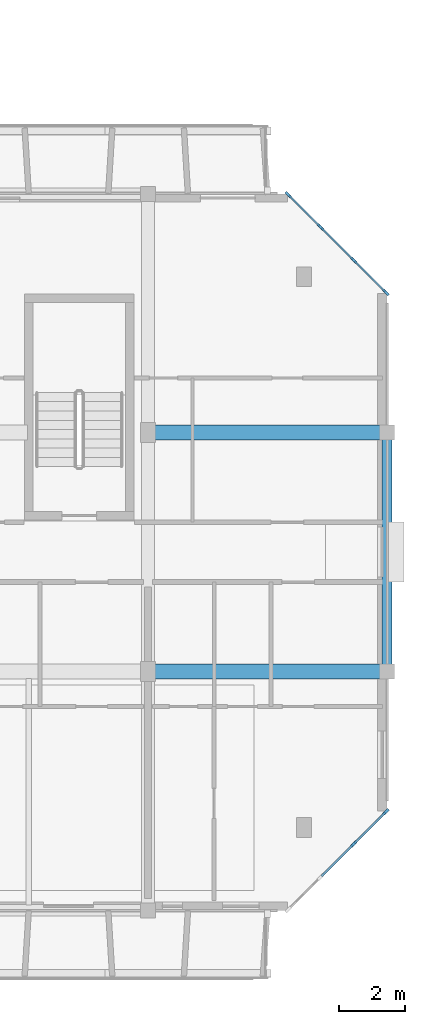
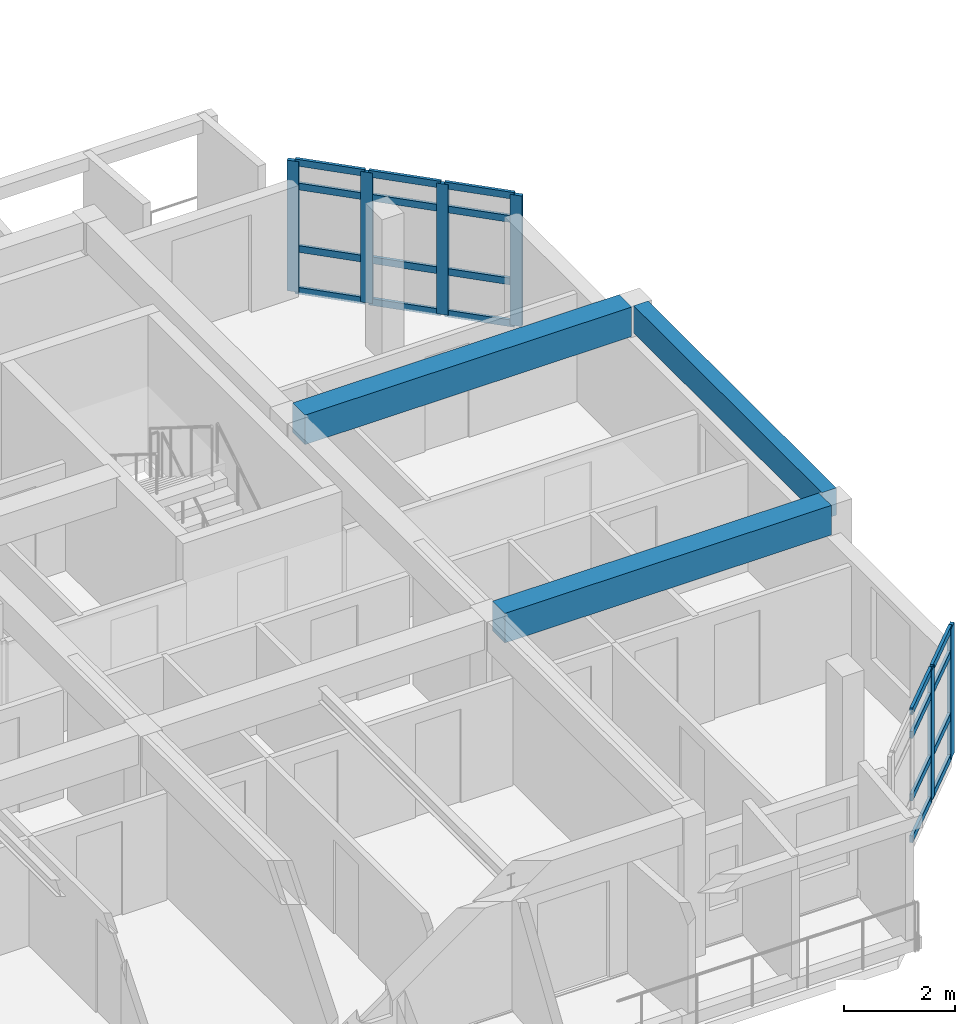
# One storey, part 6 of 31: 26 members, 3 beams, 2 elements without a shape of their own.
"""IFC4 building model written with IfcOpenShell, lengths in metres."""

from ifc_helpers import new_model, si_unit, direction, frame, origin, origin_2d, place, context, subcontext, project, spatial, rectangle, extrude, material, layer, layer_set, material_profile, profile_set, type_object, element, aggregate, save


model = new_model("IFC4")

# Units and contexts
model_context = context("Model", 3, precision=1e-05, world=origin(), true_north=direction((0.0, 1.0)))
body_context = subcontext(model_context, "Body", "Model", "MODEL_VIEW")
ifc_project = project(units=[si_unit("LENGTHUNIT", "METRE"), si_unit("AREAUNIT", "SQUARE_METRE"), si_unit("VOLUMEUNIT", "CUBIC_METRE"), si_unit("PLANEANGLEUNIT", "RADIAN"), si_unit("MASSUNIT", "GRAM", prefix="KILO")], contexts=[model_context])

# Site, building, storey
site_placement = place(None, origin())
site = spatial("IfcSite", under=ifc_project, at=site_placement, CompositionType="ELEMENT")
building_placement = place(site_placement, origin())
building = spatial("IfcBuilding", under=site, at=building_placement, Name="Ochrevale Crest", CompositionType="ELEMENT")
storey_placement = place(building_placement, frame((0.0, 0.0, 37.050048828125)))
storey = spatial("IfcBuildingStorey", under=building, at=storey_placement, Name="L11", CompositionType="ELEMENT", Elevation=37.050048828125)

# Beams
ifc_material_1 = material(Name="Concrete C50/60", Category="concrete")
ifc_material_profile_1 = material_profile(ifc_material_1, rectangle(XDim=0.449951171875, YDim=0.64990234375, at=origin_2d()), Name="RC 450x650")
ifc_profile_set_1 = profile_set([ifc_material_profile_1], Name="Concrete C50/60")
beam_type_1 = type_object("IfcBeamType", Name="BM-PG450x650", PredefinedType="USERDEFINED", material=ifc_profile_set_1)
for number, where, z_axis, x_axis, name in (
    (1, (158.60009765625, 21.60009765625, 2.824951171875), (1.0, 0.0, 0.0), (0.0, 1.0, 0.0), "Block C L11 E-W beam Y=21.6"),
    (2, (158.60009765625, 28.800048828125, 2.824951171875), (1.0, 0.0, 0.0), (0.0, 1.0, 0.0), "Block C L11 E-W beam Y=28.8"),
):
    element("IfcBeam", number, at=place(storey_placement, frame(where, z_axis=z_axis, x_axis=x_axis)), inside=storey, type_object=beam_type_1, Name=name, ObjectType="GIRDER", PredefinedType="USERDEFINED", context=body_context, shape_type="SweptSolid", body=[
        extrude(rectangle(XDim=0.449951171875, YDim=0.64990234375, at=origin_2d()), origin(), (0.0, 0.0, 1.0), 6.7998046875),
    ])
ifc_material_2 = material(Name="Precast concrete C40/50", Category="concrete")
ifc_material_profile_2 = material_profile(ifc_material_2, rectangle(XDim=0.300048828125, YDim=0.60009765625, at=origin_2d()), Name="PC 300x600")
ifc_profile_set_2 = profile_set([ifc_material_profile_2], Name="Precast concrete C40/50")
beam_type_2 = type_object("IfcBeamType", Name="BM-SP300x600", PredefinedType="SPANDREL", material=ifc_profile_set_2)
beam_placement = place(storey_placement, frame((165.60009765625, 21.804931640625, 2.849853515625), z_axis=(0.0, 1.0, 0.0), x_axis=(-1.0, 0.0, 0.0)))
element("IfcBeam", 3, at=beam_placement, inside=storey, type_object=beam_type_2, Name="Block C L11 N-S beam X=165.6", PredefinedType="SPANDREL", context=body_context, shape_type="SweptSolid", body=[
    extrude(rectangle(XDim=0.300048828125, YDim=0.60009765625, at=origin_2d()), origin(), (0.0, 0.0, 1.0), 6.7900390625),
])

# Curtain wall, members
ifc_material_3 = material(Name="Anodised aluminium 6063-T5", Category="aluminium")
ifc_layer_1 = layer(ifc_material_3, 0.14990234375)
ifc_layer_set_1 = layer_set([ifc_layer_1], Name="Anodised aluminium 6063-T5")
curtain_wall_type_1 = type_object("IfcCurtainWallType", Name="CW-WG-360x285", PredefinedType="NOTDEFINED", material=ifc_layer_set_1)
curtain_wall_1_placement = place(storey_placement, origin())
curtain_wall_1 = element("IfcCurtainWall", 4, at=curtain_wall_1_placement, inside=storey, type_object=curtain_wall_type_1, Name="Block C L11 chamfered corner wintergarden curtain wall 2", PredefinedType="NOTDEFINED")
ifc_material_profile_3 = material_profile(ifc_material_3, rectangle(XDim=0.074951171875, YDim=0.219970703125, at=origin_2d()), Name="ALU 75x220")
ifc_profile_set_3 = profile_set([ifc_material_profile_3], Name="Anodised aluminium 6063-T5")
member_type_1 = type_object("IfcMemberType", Name="CW-MUL-75x220", PredefinedType="MULLION", material=ifc_profile_set_3)
member_1_placement = place(storey_placement, frame((164.60009765625, 16.39990234375, 0.0), z_axis=(0.0, 0.0, 1.0), x_axis=(-0.707106781187, 0.707106781187, 0.0)))
member_1 = element("IfcMember", 5, at=member_1_placement, type_object=member_type_1, Name="CW18 mullion 3", PredefinedType="MULLION", context=body_context, shape_type="SweptSolid", body=[
    extrude(rectangle(XDim=0.074951171875, YDim=0.219970703125, at=origin_2d()), origin(), (0.0, 0.0, 1.0), 2.875),
])
member_2_placement = place(storey_placement, frame((165.573486328125, 17.37353515625, 0.0), z_axis=(0.0, 0.0, 1.0), x_axis=(-0.707106781187, 0.707106781187, 0.0)))
member_2 = element("IfcMember", 6, at=member_2_placement, type_object=member_type_1, Name="CW18 mullion 4", PredefinedType="MULLION", context=body_context, shape_type="SweptSolid", body=[
    extrude(rectangle(XDim=0.074951171875, YDim=0.219970703125, at=origin_2d()), origin(), (0.0, 0.0, 1.0), 2.875),
])

ifc_layer_2 = layer(ifc_material_3, 0.14990234375)
ifc_layer_set_2 = layer_set([ifc_layer_2], Name="Anodised aluminium 6063-T5")
curtain_wall_type_2 = type_object("IfcCurtainWallType", Name="CW-WG-240x285", PredefinedType="NOTDEFINED", material=ifc_layer_set_2)
curtain_wall_2_placement = place(storey_placement, origin())
curtain_wall_2 = element("IfcCurtainWall", 7, at=curtain_wall_2_placement, inside=storey, type_object=curtain_wall_type_2, Name="Block C L11 chamfered corner wintergarden curtain wall 4", PredefinedType="NOTDEFINED")
member_3_placement = place(storey_placement, frame((165.573486328125, 33.026611328125, 0.0), z_axis=(0.0, 0.0, 1.0), x_axis=(-0.707106781187, -0.707106781187, 0.0)))
member_3 = element("IfcMember", 8, at=member_3_placement, type_object=member_type_1, Name="CW15 mullion 1", PredefinedType="MULLION", context=body_context, shape_type="SweptSolid", body=[
    extrude(rectangle(XDim=0.074951171875, YDim=0.219970703125, at=origin_2d()), origin(), (0.0, 0.0, 1.0), 2.875),
])
member_4_placement = place(storey_placement, frame((164.60009765625, 34.0, 0.0), z_axis=(0.0, 0.0, 1.0), x_axis=(-0.707106781187, -0.707106781187, 0.0)))
member_4 = element("IfcMember", 9, at=member_4_placement, type_object=member_type_1, Name="CW15 mullion 2", PredefinedType="MULLION", context=body_context, shape_type="SweptSolid", body=[
    extrude(rectangle(XDim=0.074951171875, YDim=0.219970703125, at=origin_2d()), origin(), (0.0, 0.0, 1.0), 2.875),
])
member_5_placement = place(storey_placement, frame((163.60009765625, 35.0, 0.0), z_axis=(0.0, 0.0, 1.0), x_axis=(-0.707106781187, -0.707106781187, 0.0)))
member_5 = element("IfcMember", 10, at=member_5_placement, type_object=member_type_1, Name="CW15 mullion 3", PredefinedType="MULLION", context=body_context, shape_type="SweptSolid", body=[
    extrude(rectangle(XDim=0.074951171875, YDim=0.219970703125, at=origin_2d()), origin(), (0.0, 0.0, 1.0), 2.875),
])
member_6_placement = place(storey_placement, frame((162.62646484375, 35.973388671875, 0.0), z_axis=(0.0, 0.0, 1.0), x_axis=(-0.707106781187, -0.707106781187, 0.0)))
member_6 = element("IfcMember", 11, at=member_6_placement, type_object=member_type_1, Name="CW15 mullion 4", PredefinedType="MULLION", context=body_context, shape_type="SweptSolid", body=[
    extrude(rectangle(XDim=0.074951171875, YDim=0.219970703125, at=origin_2d()), origin(), (0.0, 0.0, 1.0), 2.875),
])

# Member
ifc_material_profile_4 = material_profile(ifc_material_3, rectangle(XDim=0.06005859375, YDim=0.14990234375, at=origin_2d()), Name="ALU 60x150")
ifc_profile_set_4 = profile_set([ifc_material_profile_4], Name="Anodised aluminium 6063-T5")
member_type_2 = type_object("IfcMemberType", Name="CW-TRN-60x150", PredefinedType="USERDEFINED", material=ifc_profile_set_4)
member_7_placement = place(storey_placement, frame((163.62646484375, 15.426513671875, 0.030029296875), z_axis=(0.707106781187, 0.707106781187, 0.0), x_axis=(-0.707106781187, 0.707106781187, 0.0)))
member_7 = element("IfcMember", 12, at=member_7_placement, type_object=member_type_2, Name="CW18 transom 2.1", ObjectType="TRANSOM", PredefinedType="USERDEFINED", context=body_context, shape_type="SweptSolid", body=[
    extrude(rectangle(XDim=0.06005859375, YDim=0.14990234375, at=origin_2d()), origin(), (0.0, 0.0, 1.0), 1.33935546875),
])

member_8_placement = place(storey_placement, frame((163.62646484375, 15.426513671875, 0.949951171875), z_axis=(0.707106781187, 0.707106781187, 0.0), x_axis=(-0.707106781187, 0.707106781187, 0.0)))
member_8 = element("IfcMember", 13, at=member_8_placement, type_object=member_type_2, Name="CW18 transom 2.2", ObjectType="TRANSOM", PredefinedType="USERDEFINED", context=body_context, shape_type="SweptSolid", body=[
    extrude(rectangle(XDim=0.06005859375, YDim=0.14990234375, at=origin_2d()), origin(), (0.0, 0.0, 1.0), 1.33935546875),
])

member_9_placement = place(storey_placement, frame((163.62646484375, 15.426513671875, 2.324951171875), z_axis=(0.707106781187, 0.707106781187, 0.0), x_axis=(-0.707106781187, 0.707106781187, 0.0)))
member_9 = element("IfcMember", 14, at=member_9_placement, type_object=member_type_2, Name="CW18 transom 2.3", ObjectType="TRANSOM", PredefinedType="USERDEFINED", context=body_context, shape_type="SweptSolid", body=[
    extrude(rectangle(XDim=0.06005859375, YDim=0.14990234375, at=origin_2d()), origin(), (0.0, 0.0, 1.0), 1.33935546875),
])

member_10_placement = place(storey_placement, frame((163.62646484375, 15.426513671875, 2.844970703125), z_axis=(0.707106781187, 0.707106781187, 0.0), x_axis=(-0.707106781187, 0.707106781187, 0.0)))
member_10 = element("IfcMember", 15, at=member_10_placement, type_object=member_type_2, Name="CW18 transom 2.4", ObjectType="TRANSOM", PredefinedType="USERDEFINED", context=body_context, shape_type="SweptSolid", body=[
    extrude(rectangle(XDim=0.06005859375, YDim=0.14990234375, at=origin_2d()), origin(), (0.0, 0.0, 1.0), 1.33935546875),
])

member_11_placement = place(storey_placement, frame((164.62646484375, 16.426513671875, 0.030029296875), z_axis=(0.707106781187, 0.707106781187, 0.0), x_axis=(-0.707106781187, 0.707106781187, 0.0)))
member_11 = element("IfcMember", 16, at=member_11_placement, type_object=member_type_2, Name="CW18 transom 3.1", ObjectType="TRANSOM", PredefinedType="USERDEFINED", context=body_context, shape_type="SweptSolid", body=[
    extrude(rectangle(XDim=0.06005859375, YDim=0.14990234375, at=origin_2d()), origin(), (0.0, 0.0, 1.0), 1.3017578125),
])

member_12_placement = place(storey_placement, frame((164.62646484375, 16.426513671875, 0.949951171875), z_axis=(0.707106781187, 0.707106781187, 0.0), x_axis=(-0.707106781187, 0.707106781187, 0.0)))
member_12 = element("IfcMember", 17, at=member_12_placement, type_object=member_type_2, Name="CW18 transom 3.2", ObjectType="TRANSOM", PredefinedType="USERDEFINED", context=body_context, shape_type="SweptSolid", body=[
    extrude(rectangle(XDim=0.06005859375, YDim=0.14990234375, at=origin_2d()), origin(), (0.0, 0.0, 1.0), 1.3017578125),
])

member_13_placement = place(storey_placement, frame((164.62646484375, 16.426513671875, 2.324951171875), z_axis=(0.707106781187, 0.707106781187, 0.0), x_axis=(-0.707106781187, 0.707106781187, 0.0)))
member_13 = element("IfcMember", 18, at=member_13_placement, type_object=member_type_2, Name="CW18 transom 3.3", ObjectType="TRANSOM", PredefinedType="USERDEFINED", context=body_context, shape_type="SweptSolid", body=[
    extrude(rectangle(XDim=0.06005859375, YDim=0.14990234375, at=origin_2d()), origin(), (0.0, 0.0, 1.0), 1.3017578125),
])

member_14_placement = place(storey_placement, frame((164.62646484375, 16.426513671875, 2.844970703125), z_axis=(0.707106781187, 0.707106781187, 0.0), x_axis=(-0.707106781187, 0.707106781187, 0.0)))
member_14 = element("IfcMember", 19, at=member_14_placement, type_object=member_type_2, Name="CW18 transom 3.4", ObjectType="TRANSOM", PredefinedType="USERDEFINED", context=body_context, shape_type="SweptSolid", body=[
    extrude(rectangle(XDim=0.06005859375, YDim=0.14990234375, at=origin_2d()), origin(), (0.0, 0.0, 1.0), 1.3017578125),
])

aggregate(curtain_wall_1, [member_1, member_2, member_7, member_8, member_9, member_10, member_11, member_12, member_13, member_14])

member_15_placement = place(storey_placement, frame((165.546875, 33.052978515625, 0.030029296875), z_axis=(-0.707106781187, 0.707106781187, 0.0), x_axis=(-0.707106781187, -0.707106781187, 0.0)))
member_15 = element("IfcMember", 20, at=member_15_placement, type_object=member_type_2, Name="CW15 transom 1.1", ObjectType="TRANSOM", PredefinedType="USERDEFINED", context=body_context, shape_type="SweptSolid", body=[
    extrude(rectangle(XDim=0.06005859375, YDim=0.14990234375, at=origin_2d()), origin(), (0.0, 0.0, 1.0), 1.3017578125),
])

member_16_placement = place(storey_placement, frame((165.546875, 33.052978515625, 0.949951171875), z_axis=(-0.707106781187, 0.707106781187, 0.0), x_axis=(-0.707106781187, -0.707106781187, 0.0)))
member_16 = element("IfcMember", 21, at=member_16_placement, type_object=member_type_2, Name="CW15 transom 1.2", ObjectType="TRANSOM", PredefinedType="USERDEFINED", context=body_context, shape_type="SweptSolid", body=[
    extrude(rectangle(XDim=0.06005859375, YDim=0.14990234375, at=origin_2d()), origin(), (0.0, 0.0, 1.0), 1.3017578125),
])

member_17_placement = place(storey_placement, frame((165.546875, 33.052978515625, 2.324951171875), z_axis=(-0.707106781187, 0.707106781187, 0.0), x_axis=(-0.707106781187, -0.707106781187, 0.0)))
member_17 = element("IfcMember", 22, at=member_17_placement, type_object=member_type_2, Name="CW15 transom 1.3", ObjectType="TRANSOM", PredefinedType="USERDEFINED", context=body_context, shape_type="SweptSolid", body=[
    extrude(rectangle(XDim=0.06005859375, YDim=0.14990234375, at=origin_2d()), origin(), (0.0, 0.0, 1.0), 1.3017578125),
])

member_18_placement = place(storey_placement, frame((165.546875, 33.052978515625, 2.844970703125), z_axis=(-0.707106781187, 0.707106781187, 0.0), x_axis=(-0.707106781187, -0.707106781187, 0.0)))
member_18 = element("IfcMember", 23, at=member_18_placement, type_object=member_type_2, Name="CW15 transom 1.4", ObjectType="TRANSOM", PredefinedType="USERDEFINED", context=body_context, shape_type="SweptSolid", body=[
    extrude(rectangle(XDim=0.06005859375, YDim=0.14990234375, at=origin_2d()), origin(), (0.0, 0.0, 1.0), 1.3017578125),
])

member_19_placement = place(storey_placement, frame((164.573486328125, 34.026611328125, 0.030029296875), z_axis=(-0.707197932559, 0.707015618062, 0.0), x_axis=(-0.707015618062, -0.707197932559, 0.0)))
member_19 = element("IfcMember", 24, at=member_19_placement, type_object=member_type_2, Name="CW15 transom 2.1", ObjectType="TRANSOM", PredefinedType="USERDEFINED", context=body_context, shape_type="SweptSolid", body=[
    extrude(rectangle(XDim=0.06005859375, YDim=0.14990234375, at=origin_2d()), origin(), (0.0, 0.0, 1.0), 1.339111328125),
])

member_20_placement = place(storey_placement, frame((164.573486328125, 34.026611328125, 0.949951171875), z_axis=(-0.707197932559, 0.707015618062, 0.0), x_axis=(-0.707015618062, -0.707197932559, 0.0)))
member_20 = element("IfcMember", 25, at=member_20_placement, type_object=member_type_2, Name="CW15 transom 2.2", ObjectType="TRANSOM", PredefinedType="USERDEFINED", context=body_context, shape_type="SweptSolid", body=[
    extrude(rectangle(XDim=0.06005859375, YDim=0.14990234375, at=origin_2d()), origin(), (0.0, 0.0, 1.0), 1.339111328125),
])

member_21_placement = place(storey_placement, frame((164.573486328125, 34.026611328125, 2.324951171875), z_axis=(-0.707197932559, 0.707015618062, 0.0), x_axis=(-0.707015618062, -0.707197932559, 0.0)))
member_21 = element("IfcMember", 26, at=member_21_placement, type_object=member_type_2, Name="CW15 transom 2.3", ObjectType="TRANSOM", PredefinedType="USERDEFINED", context=body_context, shape_type="SweptSolid", body=[
    extrude(rectangle(XDim=0.06005859375, YDim=0.14990234375, at=origin_2d()), origin(), (0.0, 0.0, 1.0), 1.339111328125),
])

member_22_placement = place(storey_placement, frame((164.573486328125, 34.026611328125, 2.844970703125), z_axis=(-0.707197932559, 0.707015618062, 0.0), x_axis=(-0.707015618062, -0.707197932559, 0.0)))
member_22 = element("IfcMember", 27, at=member_22_placement, type_object=member_type_2, Name="CW15 transom 2.4", ObjectType="TRANSOM", PredefinedType="USERDEFINED", context=body_context, shape_type="SweptSolid", body=[
    extrude(rectangle(XDim=0.06005859375, YDim=0.14990234375, at=origin_2d()), origin(), (0.0, 0.0, 1.0), 1.339111328125),
])

member_23_placement = place(storey_placement, frame((163.573486328125, 35.026611328125, 0.030029296875), z_axis=(-0.707106781187, 0.707106781187, 0.0), x_axis=(-0.707106781187, -0.707106781187, 0.0)))
member_23 = element("IfcMember", 28, at=member_23_placement, type_object=member_type_2, Name="CW15 transom 3.1", ObjectType="TRANSOM", PredefinedType="USERDEFINED", context=body_context, shape_type="SweptSolid", body=[
    extrude(rectangle(XDim=0.06005859375, YDim=0.14990234375, at=origin_2d()), origin(), (0.0, 0.0, 1.0), 1.3017578125),
])

member_24_placement = place(storey_placement, frame((163.573486328125, 35.026611328125, 0.949951171875), z_axis=(-0.707106781187, 0.707106781187, 0.0), x_axis=(-0.707106781187, -0.707106781187, 0.0)))
member_24 = element("IfcMember", 29, at=member_24_placement, type_object=member_type_2, Name="CW15 transom 3.2", ObjectType="TRANSOM", PredefinedType="USERDEFINED", context=body_context, shape_type="SweptSolid", body=[
    extrude(rectangle(XDim=0.06005859375, YDim=0.14990234375, at=origin_2d()), origin(), (0.0, 0.0, 1.0), 1.3017578125),
])

member_25_placement = place(storey_placement, frame((163.573486328125, 35.026611328125, 2.324951171875), z_axis=(-0.707106781187, 0.707106781187, 0.0), x_axis=(-0.707106781187, -0.707106781187, 0.0)))
member_25 = element("IfcMember", 30, at=member_25_placement, type_object=member_type_2, Name="CW15 transom 3.3", ObjectType="TRANSOM", PredefinedType="USERDEFINED", context=body_context, shape_type="SweptSolid", body=[
    extrude(rectangle(XDim=0.06005859375, YDim=0.14990234375, at=origin_2d()), origin(), (0.0, 0.0, 1.0), 1.3017578125),
])

member_26_placement = place(storey_placement, frame((163.573486328125, 35.026611328125, 2.844970703125), z_axis=(-0.707106781187, 0.707106781187, 0.0), x_axis=(-0.707106781187, -0.707106781187, 0.0)))
member_26 = element("IfcMember", 31, at=member_26_placement, type_object=member_type_2, Name="CW15 transom 3.4", ObjectType="TRANSOM", PredefinedType="USERDEFINED", context=body_context, shape_type="SweptSolid", body=[
    extrude(rectangle(XDim=0.06005859375, YDim=0.14990234375, at=origin_2d()), origin(), (0.0, 0.0, 1.0), 1.3017578125),
])

aggregate(curtain_wall_2, [member_3, member_4, member_5, member_6, member_15, member_16, member_17, member_18, member_19, member_20, member_21, member_22, member_23, member_24, member_25, member_26])

save(model, "model.ifc")
